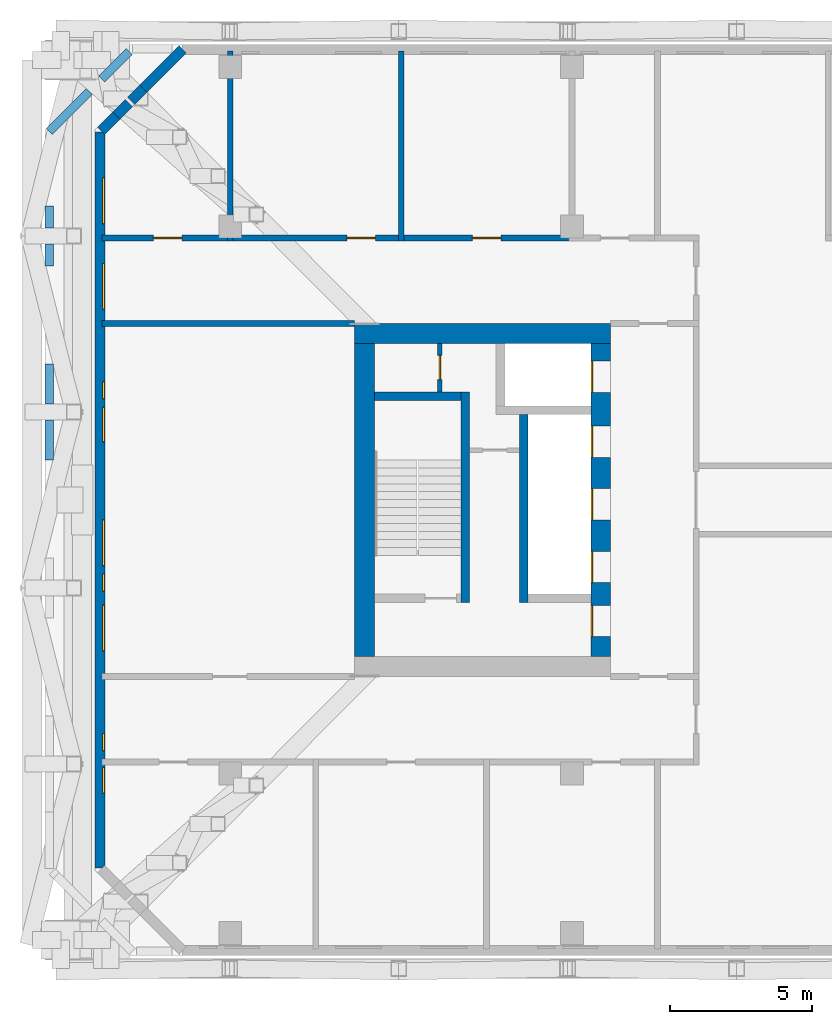
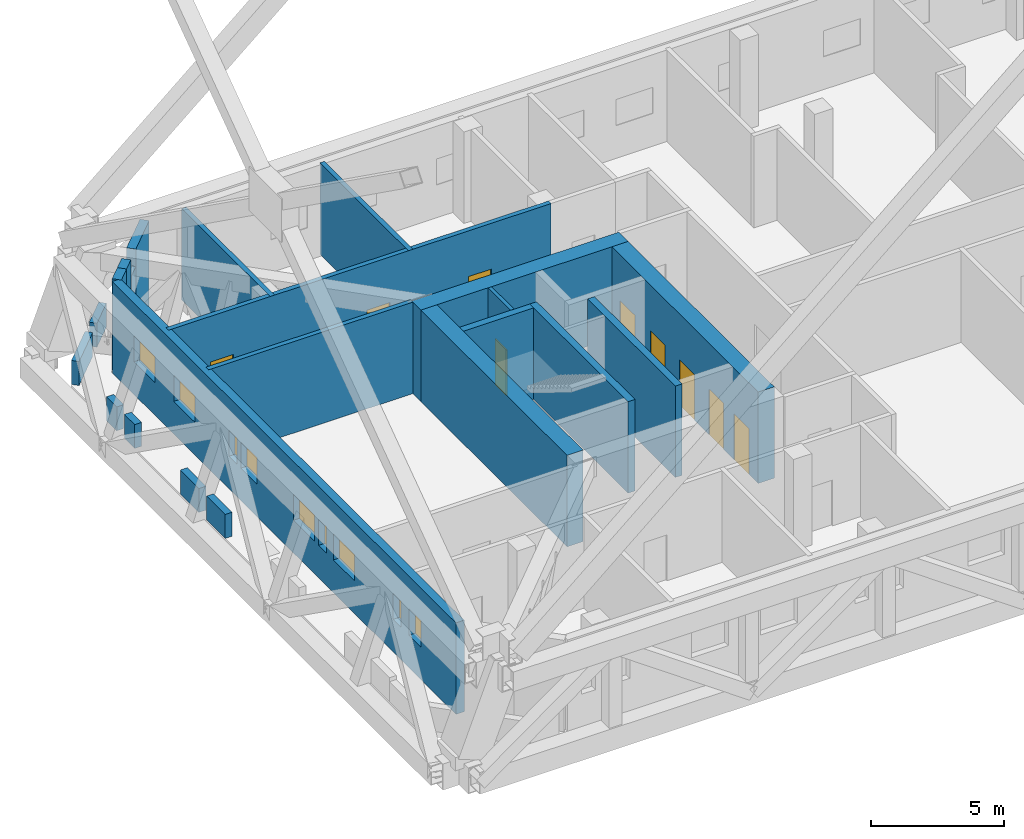
# One storey, part 8 of 20: 22 walls, 9 doors, 9 windows, 18 openings.
"""IFC4 building model written with IfcOpenShell, lengths in metres."""

import ifcopenshell
import ifcopenshell.guid

model = None  # the IFC model being written
_history = None  # IfcOwnerHistory: only IFC2X3 demands one
_inside = {}  # id of a spatial element -> (the spatial element, [elements in it])
_under = {}  # id of a project, library or spatial element -> (it, [spatial elements below it])
_declared = {}  # id of a project -> (the project, [libraries it declares])
_typed = {}  # id of a type object -> (the type object, [elements of that type])
_made_of = {}  # id of a material, layer set ... -> (it, [elements and type objects made of it])


def new_model(schema):
    """Start an empty IFC model of exactly this schema.

    Asked for "IFC4X3", IfcOpenShell would pick the latest addendum, in which some entities
    have other attributes; the version numbers below select the first issue.
    IFC2X3 requires an IfcOwnerHistory on every rooted entity: one is made here for all.
    """
    global model, _history
    if schema == "IFC4X3":
        model = ifcopenshell.file(schema_version=(4, 3, 0, 0))
    else:
        model = ifcopenshell.file(schema=schema)
    _inside.clear()
    _under.clear()
    _declared.clear()
    _typed.clear()
    _made_of.clear()
    _history = None
    if model.schema == "IFC2X3":
        org = make("IfcOrganization", Name="unknown")
        user = make(
            "IfcPersonAndOrganization",
            ThePerson=make("IfcPerson", FamilyName="unknown"),
            TheOrganization=org,
        )
        app = make(
            "IfcApplication",
            ApplicationDeveloper=org,
            Version="unknown",
            ApplicationFullName="unknown",
            ApplicationIdentifier="unknown",
        )
        _history = make(
            "IfcOwnerHistory",
            OwningUser=user,
            OwningApplication=app,
            ChangeAction="ADDED",
            CreationDate=0,
        )
    return model


def make(cls, **values):
    """One entity of the class cls with the attributes given. An attribute that is None is left unset."""
    return model.create_entity(
        cls, **{name: value for name, value in values.items() if value is not None}
    )


def rooted(cls, **values):
    """An entity with a GlobalId (a new one), such as an element, a storey or a relation."""
    return make(cls, GlobalId=ifcopenshell.guid.new(), OwnerHistory=_history, **values)


def si_unit(unit_type, name, prefix=None):
    """IfcSIUnit, for example si_unit("LENGTHUNIT", "METRE", prefix="MILLI")."""
    return make("IfcSIUnit", UnitType=unit_type, Prefix=prefix, Name=name)


def assignment(units):
    """IfcUnitAssignment: the units of a project."""
    return None if units is None else make("IfcUnitAssignment", Units=units)


def point(xyz):
    """IfcCartesianPoint."""
    return None if xyz is None else make("IfcCartesianPoint", Coordinates=xyz)


def direction(xyz):
    """IfcDirection."""
    return None if xyz is None else make("IfcDirection", DirectionRatios=xyz)


def frame(location, z_axis=None, x_axis=None):
    """IfcAxis2Placement3D, a coordinate frame: its origin and axes. An axis left out is left unset."""
    return make(
        "IfcAxis2Placement3D",
        Location=point(location),
        Axis=direction(z_axis),
        RefDirection=direction(x_axis),
    )


def frame_2d(location, x_axis=None):
    """IfcAxis2Placement2D, a coordinate frame in the plane: its origin and x axis."""
    return make(
        "IfcAxis2Placement2D", Location=point(location), RefDirection=direction(x_axis)
    )


def origin():
    """The frame at (0, 0, 0) with its axes left unset."""
    return frame((0.0, 0.0, 0.0))


def place(relative_to, where):
    """IfcLocalPlacement: puts the frame where relative to a parent placement (None: the world)."""
    return make(
        "IfcLocalPlacement", PlacementRelTo=relative_to, RelativePlacement=where
    )


def context(
    kind, dimensions, precision=None, world=None, true_north=None, identifier=None
):
    """IfcGeometricRepresentationContext, for example the 3D "Model" context."""
    return make(
        "IfcGeometricRepresentationContext",
        ContextIdentifier=identifier,
        ContextType=kind,
        CoordinateSpaceDimension=dimensions,
        Precision=precision,
        WorldCoordinateSystem=world,
        TrueNorth=true_north,
    )


def subcontext(parent, identifier, kind, view, scale=None):
    """IfcGeometricRepresentationSubContext, for example "Body" below "Model"."""
    return make(
        "IfcGeometricRepresentationSubContext",
        ContextIdentifier=identifier,
        ContextType=kind,
        ParentContext=parent,
        TargetScale=scale,
        TargetView=view,
    )


def project(units=None, contexts=None):
    """IfcProject with its units and contexts."""
    return rooted(
        "IfcProject",
        Name="project",
        RepresentationContexts=contexts,
        UnitsInContext=assignment(units),
    )


def spatial(cls, under=None, at=None, **own):
    """A site, building, storey or space (cls), placed at a placement, below another one or the project."""
    s = rooted(cls, ObjectPlacement=at, **own)
    if under is not None:
        _under.setdefault(under.id(), (under, []))[1].append(s)
    return s


def profile(cls, at=None, kind="AREA", **sizes):
    """A parametric profile (cls). Its sizes go by their IFC names, for example OverallWidth=200.0."""
    return make(cls, ProfileType=kind, Position=at, **sizes)


def rectangle(**sizes):
    """IfcRectangleProfileDef."""
    return profile("IfcRectangleProfileDef", **sizes)


def extrude(swept, where, along, depth):
    """IfcExtrudedAreaSolid: the profile swept, set in the frame where, extruded along a direction by depth."""
    return make(
        "IfcExtrudedAreaSolid",
        SweptArea=swept,
        Position=where,
        ExtrudedDirection=direction(along),
        Depth=depth,
    )


def shape(context_of_items, identifier, shape_type, items):
    """IfcShapeRepresentation: the items that make up one representation, for example the "Body"."""
    return make(
        "IfcShapeRepresentation",
        ContextOfItems=context_of_items,
        RepresentationIdentifier=identifier,
        RepresentationType=shape_type,
        Items=items,
    )


def material(Name=None, Category=None):
    """IfcMaterial."""
    return make("IfcMaterial", Name=Name, Category=Category)


def layer(
    of_material, thickness, ventilated=None, Name=None, Category=None, Priority=None
):
    """IfcMaterialLayer: one layer of a wall or slab, of a material (None: an air gap)."""
    return make(
        "IfcMaterialLayer",
        Material=of_material,
        LayerThickness=thickness,
        IsVentilated=ventilated,
        Name=Name,
        Category=Category,
        Priority=Priority,
    )


def layer_set(layers, Name=None):
    """IfcMaterialLayerSet."""
    return make("IfcMaterialLayerSet", MaterialLayers=layers, LayerSetName=Name)


def made_of(thing, what):
    """Note that an element or type object is made of a material, layer set ...; save() writes the relation."""
    if what is not None:
        _made_of.setdefault(what.id(), (what, []))[1].append(thing)
    return thing


def type_object(cls, material=None, **own):
    """A type object (cls), such as IfcWallType, which elements share."""
    return made_of(rooted(cls, **own), material)


def element(
    cls,
    number,
    at=None,
    inside=None,
    cuts=None,
    type_object=None,
    material=None,
    context=None,
    identifier="Body",
    shape_type=None,
    held_by="IfcProductDefinitionShape",
    body=None,
    shapes=None,
    **own,
):
    """One element of the class cls, such as IfcWall. Its Tag is "e" and its number.

    at: its placement. inside: the storey or other place that contains it. cuts: it is an
    opening in that element (IfcRelVoidsElement). A single representation is given by context,
    identifier, shape_type and body (its items); several are given by shapes. held_by: the class
    of the entity that holds the representations. save() writes the other relations.
    """
    e = rooted(cls, Tag="e%d" % number, ObjectPlacement=at, **own)
    if body is not None:
        shapes = [shape(context, identifier, shape_type, body)]
    if shapes is not None:
        e.Representation = make(held_by, Representations=shapes)
    if inside is not None:
        _inside.setdefault(inside.id(), (inside, []))[1].append(e)
    if cuts is not None:
        rooted(
            "IfcRelVoidsElement", RelatingBuildingElement=cuts, RelatedOpeningElement=e
        )
    if type_object is not None:
        _typed.setdefault(type_object.id(), (type_object, []))[1].append(e)
    return made_of(e, material)


def fill(opening, filler):
    """IfcRelFillsElement: the door or window that sits in an opening."""
    return rooted(
        "IfcRelFillsElement",
        RelatingOpeningElement=opening,
        RelatedBuildingElement=filler,
    )


def aggregate(whole, parts):
    """IfcRelAggregates: a whole, such as a stair, and the parts it consists of."""
    return rooted("IfcRelAggregates", RelatingObject=whole, RelatedObjects=parts)


def save(model, path):
    """Write the relations noted so far, then the file.

    IfcRelAggregates (storeys below a building ...), IfcRelContainedInSpatialStructure (elements
    in a storey), IfcRelDefinesByType, IfcRelAssociatesMaterial and IfcRelDeclares: one each for
    every whole, place, type object, material and project.
    """
    for whole, parts in _under.values():
        aggregate(whole, parts)
    for where, things in _inside.values():
        rooted(
            "IfcRelContainedInSpatialStructure",
            RelatedElements=things,
            RelatingStructure=where,
        )
    for kind, things in _typed.values():
        rooted("IfcRelDefinesByType", RelatedObjects=things, RelatingType=kind)
    for what, things in _made_of.values():
        rooted("IfcRelAssociatesMaterial", RelatedObjects=things, RelatingMaterial=what)
    for by, libraries in _declared.values():
        rooted("IfcRelDeclares", RelatingContext=by, RelatedDefinitions=libraries)
    model.write(path)


model = new_model("IFC4")

# Units and contexts
model_context = context("Model", 3, precision=1e-05, world=origin(), true_north=direction((0.0, 1.0)))
body_context = subcontext(model_context, "Body", "Model", "MODEL_VIEW")
ifc_project = project(units=[si_unit("LENGTHUNIT", "METRE"), si_unit("AREAUNIT", "SQUARE_METRE"), si_unit("VOLUMEUNIT", "CUBIC_METRE"), si_unit("PLANEANGLEUNIT", "RADIAN"), si_unit("MASSUNIT", "GRAM", prefix="KILO")], contexts=[model_context])

# Site, building, storey
site_placement = place(None, origin())
site = spatial("IfcSite", under=ifc_project, at=site_placement, CompositionType="ELEMENT")
building_placement = place(site_placement, origin())
building = spatial("IfcBuilding", under=site, at=building_placement, Name="Tuart Gate Housing", CompositionType="ELEMENT")
storey_placement = place(building_placement, frame((0.0, 0.0, 62.89990234375)))
storey = spatial("IfcBuildingStorey", under=building, at=storey_placement, Name="L17", CompositionType="ELEMENT", Elevation=62.89990234375)

# Walls
ifc_material_1 = material(Name="Brick", Category="masonry")
ifc_layer_1 = layer(ifc_material_1, 0.300048828125)
ifc_layer_set_1 = layer_set([ifc_layer_1], Name="Brick parapet wall 300")
wall_type_1 = type_object("IfcWallType", Name="Brick parapet wall 300", PredefinedType="PARAPET", material=ifc_layer_set_1)
wall_1_placement = place(storey_placement, frame((24.45458984375, 85.742431640625, 0.0), z_axis=(0.0, 0.0, 1.0), x_axis=(-0.707106781187, -0.707106781187, 0.0)))
element("IfcWall", 1, at=wall_1_placement, inside=storey, type_object=wall_type_1, Name="Roof parapet A 2", PredefinedType="PARAPET", context=body_context, shape_type="SweptSolid", body=[
    extrude(rectangle(XDim=1.365478515625, YDim=0.300048828125, at=frame_2d((0.6826171875, 0.0))), origin(), (0.0, 0.0, 1.0), 1.10009765625),
])
wall_2_placement = place(storey_placement, frame((23.049560546875, 84.33740234375, 0.0), z_axis=(0.0, 0.0, 1.0), x_axis=(-0.70716845375, -0.707045103244, 0.0)))
element("IfcWall", 2, at=wall_2_placement, inside=storey, type_object=wall_type_1, Name="Roof parapet A 2", PredefinedType="PARAPET", context=body_context, shape_type="SweptSolid", body=[
    extrude(rectangle(XDim=1.979248046875, YDim=0.300048828125, at=frame_2d((0.98974609375, 0.0))), origin(), (0.0, 0.0, 1.0), 1.10009765625),
])
for number, where, z_axis, x_axis, name in (
    (3, (21.64990234375, 80.328369140625, 0.0), (0.0, 0.0, 1.0), (0.0, -1.0, 0.0), "Roof parapet A 3"),
    (4, (21.64990234375, 78.987060546875, 0.0), (0.0, 0.0, 1.0), (0.0, -1.0, 0.0), "Roof parapet A 3"),
):
    element("IfcWall", number, at=place(storey_placement, frame(where, z_axis=z_axis, x_axis=x_axis)), inside=storey, type_object=wall_type_1, Name=name, PredefinedType="PARAPET", context=body_context, shape_type="SweptSolid", body=[
        extrude(rectangle(XDim=0.775390625, YDim=0.300048828125, at=frame_2d((0.3876953125, 0.0))), origin(), (0.0, 0.0, 1.0), 1.10009765625),
    ])
for number, where, z_axis, x_axis, name in (
    (5, (21.64990234375, 74.776123046875, 0.0), (0.0, 0.0, 1.0), (0.0, -1.0, 0.0), "Roof parapet A 3"),
    (6, (21.64990234375, 72.806884765625, 0.0), (0.0, 0.0, 1.0), (0.0, -1.0, 0.0), "Roof parapet A 3"),
):
    element("IfcWall", number, at=place(storey_placement, frame(where, z_axis=z_axis, x_axis=x_axis)), inside=storey, type_object=wall_type_1, Name=name, PredefinedType="PARAPET", context=body_context, shape_type="SweptSolid", body=[
        extrude(rectangle(XDim=1.403076171875, YDim=0.300048828125, at=frame_2d((0.70166015625, 0.0))), origin(), (0.0, 0.0, 1.0), 1.10009765625),
    ])
ifc_material_2 = material(Name="Brick", Category="masonry")
ifc_layer_2 = layer(ifc_material_2, 0.360107421875)
ifc_layer_set_2 = layer_set([ifc_layer_2], Name="Brick pier and spandrel wall 360")
wall_type_2 = type_object("IfcWallType", Name="Brick pier and spandrel wall 360", PredefinedType="STANDARD", material=ifc_layer_set_2)
wall_3_placement = place(storey_placement, frame((26.32470703125, 85.820068359375, 0.0), z_axis=(0.0, 0.0, 1.0), x_axis=(-0.707169637916, -0.707043918869, 0.0)))
element("IfcWall", 7, at=wall_3_placement, inside=storey, type_object=wall_type_2, Name="External wall A-NW L17", PredefinedType="STANDARD", context=body_context, shape_type="SweptSolid", body=[
    extrude(rectangle(XDim=1.94189453125, YDim=0.360107421875, at=frame_2d((0.970947265625, 0.0))), origin(), (0.0, 0.0, 1.0), 4.2001953125),
])
wall_4_placement = place(storey_placement, frame((24.951416015625, 84.447021484375, 0.0), z_axis=(0.0, 0.0, 1.0), x_axis=(-0.70690569865, -0.707307806556, 0.0)))
element("IfcWall", 8, at=wall_4_placement, inside=storey, type_object=wall_type_2, Name="External wall A-NW L17", PredefinedType="STANDARD", context=body_context, shape_type="SweptSolid", body=[
    extrude(rectangle(XDim=0.607177734375, YDim=0.360107421875, at=frame_2d((0.3037109375, 0.0))), origin(), (0.0, 0.0, 1.0), 3.397216796875),
])
wall_5_placement = place(storey_placement, frame((24.439208984375, 83.934814453125, 0.953125), z_axis=(0.0, 0.0, 1.0), x_axis=(-0.706911258792, -0.707302249532, 0.0)))
element("IfcWall", 9, at=wall_5_placement, inside=storey, type_object=wall_type_2, Name="External wall A-NW L17", PredefinedType="STANDARD", context=body_context, shape_type="SweptSolid", body=[
    extrude(rectangle(XDim=0.62451171875, YDim=0.360107421875, at=frame_2d((0.312255859375, 0.0))), origin(), (0.0, 0.0, 1.0), 3.2470703125),
])
wall_6_placement = place(storey_placement, frame((23.997802734375, 83.4931640625, 0.0), z_axis=(0.0, 0.0, 1.0), x_axis=(-0.707106781187, -0.707106781187, 0.0)))
element("IfcWall", 10, at=wall_6_placement, inside=storey, type_object=wall_type_2, Name="External wall A-NW L17", PredefinedType="STANDARD", context=body_context, shape_type="SweptSolid", body=[
    extrude(rectangle(XDim=0.7529296875, YDim=0.360107421875, at=frame_2d((0.37646484375, 0.0))), origin(), (0.0, 0.0, 1.0), 4.2001953125),
])

# Wall, openings, windows
wall_7_placement = place(storey_placement, frame((23.429931640625, 82.92529296875, 0.0), z_axis=(0.0, 0.0, 1.0), x_axis=(0.0, -1.0, 0.0)))
wall_7 = element("IfcWall", 11, at=wall_7_placement, inside=storey, type_object=wall_type_2, Name="External wall A-W L17", PredefinedType="STANDARD", context=body_context, shape_type="SweptSolid", body=[
    extrude(rectangle(XDim=25.850830078125, YDim=0.360107421875, at=frame_2d((12.92529296875, 0.0))), origin(), (0.0, 0.0, 1.0), 4.2001953125),
])
opening_1_placement = place(wall_7_placement, frame((1.62548828125, 0.0, 1.5)))
opening_1 = element("IfcOpeningElement", 12, at=opening_1_placement, cuts=wall_7, Name="Opening W3", PredefinedType="OPENING", context=body_context, shape_type="SweptSolid", body=[
    extrude(rectangle(XDim=1.60009765625, YDim=1.199951171875, at=frame_2d((0.800048828125, 0.60009765625))), frame((0.0, 0.18994140625, 0.0), z_axis=(0.0, -1.0, 0.0), x_axis=(1.0, 0.0, 0.0)), (0.0, 0.0, 1.0), 0.380126953125),
])
opening_2_placement = place(wall_7_placement, frame((4.62548828125, 0.0, 1.5)))
opening_2 = element("IfcOpeningElement", 13, at=opening_2_placement, cuts=wall_7, Name="Opening W3", PredefinedType="OPENING", context=body_context, shape_type="SweptSolid", body=[
    extrude(rectangle(XDim=1.60009765625, YDim=1.199951171875, at=frame_2d((0.800048828125, 0.60009765625))), frame((0.0, 0.18994140625, 0.0), z_axis=(0.0, -1.0, 0.0), x_axis=(1.0, 0.0, 0.0)), (0.0, 0.0, 1.0), 0.380126953125),
])
opening_3_placement = place(wall_7_placement, frame((8.775390625, 0.0, 1.5)))
opening_3 = element("IfcOpeningElement", 14, at=opening_3_placement, cuts=wall_7, Name="Opening W3C", PredefinedType="OPENING", context=body_context, shape_type="SweptSolid", body=[
    extrude(rectangle(XDim=0.60009765625, YDim=1.199951171875, at=frame_2d((0.300048828125, 0.60009765625))), frame((0.0, 0.18994140625, 0.0), z_axis=(0.0, -1.0, 0.0), x_axis=(1.0, 0.0, 0.0)), (0.0, 0.0, 1.0), 0.380126953125),
])
opening_4_placement = place(wall_7_placement, frame((9.67529296875, 0.0, 1.5)))
opening_4 = element("IfcOpeningElement", 15, at=opening_4_placement, cuts=wall_7, Name="Opening W3A", PredefinedType="OPENING", context=body_context, shape_type="SweptSolid", body=[
    extrude(rectangle(XDim=1.199951171875, YDim=1.199951171875, at=frame_2d((0.60009765625, 0.60009765625))), frame((0.0, 0.18994140625, 0.0), z_axis=(0.0, -1.0, 0.0), x_axis=(1.0, 0.0, 0.0)), (0.0, 0.0, 1.0), 0.380126953125),
])
opening_5_placement = place(wall_7_placement, frame((13.62548828125, 0.0, 1.5)))
opening_5 = element("IfcOpeningElement", 16, at=opening_5_placement, cuts=wall_7, Name="Opening W3", PredefinedType="OPENING", context=body_context, shape_type="SweptSolid", body=[
    extrude(rectangle(XDim=1.60009765625, YDim=1.199951171875, at=frame_2d((0.800048828125, 0.60009765625))), frame((0.0, 0.18994140625, 0.0), z_axis=(0.0, -1.0, 0.0), x_axis=(1.0, 0.0, 0.0)), (0.0, 0.0, 1.0), 0.380126953125),
])
opening_6_placement = place(wall_7_placement, frame((16.62548828125, 0.0, 1.5)))
opening_6 = element("IfcOpeningElement", 17, at=opening_6_placement, cuts=wall_7, Name="Opening W3", PredefinedType="OPENING", context=body_context, shape_type="SweptSolid", body=[
    extrude(rectangle(XDim=1.60009765625, YDim=1.199951171875, at=frame_2d((0.800048828125, 0.60009765625))), frame((0.0, 0.18994140625, 0.0), z_axis=(0.0, -1.0, 0.0), x_axis=(1.0, 0.0, 0.0)), (0.0, 0.0, 1.0), 0.380126953125),
])
opening_7_placement = place(wall_7_placement, frame((21.12548828125, 0.0, 1.5)))
opening_7 = element("IfcOpeningElement", 18, at=opening_7_placement, cuts=wall_7, Name="Opening W3C", PredefinedType="OPENING", context=body_context, shape_type="SweptSolid", body=[
    extrude(rectangle(XDim=0.60009765625, YDim=1.199951171875, at=frame_2d((0.300048828125, 0.60009765625))), frame((0.0, 0.18994140625, 0.0), z_axis=(0.0, -1.0, 0.0), x_axis=(1.0, 0.0, 0.0)), (0.0, 0.0, 1.0), 0.380126953125),
])
opening_8_placement = place(wall_7_placement, frame((22.325439453125, 0.0, 1.5)))
opening_8 = element("IfcOpeningElement", 19, at=opening_8_placement, cuts=wall_7, Name="Opening W3B", PredefinedType="OPENING", context=body_context, shape_type="SweptSolid", body=[
    extrude(rectangle(XDim=0.89990234375, YDim=1.199951171875, at=frame_2d((0.449951171875, 0.60009765625))), frame((0.0, 0.18994140625, 0.0), z_axis=(0.0, -1.0, 0.0), x_axis=(1.0, 0.0, 0.0)), (0.0, 0.0, 1.0), 0.380126953125),
])
opening_9_placement = place(wall_7_placement, frame((15.525390625, 0.0, 1.5)))
opening_9 = element("IfcOpeningElement", 20, at=opening_9_placement, cuts=wall_7, Name="Opening W3C", PredefinedType="OPENING", context=body_context, shape_type="SweptSolid", body=[
    extrude(rectangle(XDim=0.60009765625, YDim=1.199951171875, at=frame_2d((0.300048828125, 0.60009765625))), frame((0.0, 0.18994140625, 0.0), z_axis=(0.0, -1.0, 0.0), x_axis=(1.0, 0.0, 0.0)), (0.0, 0.0, 1.0), 0.380126953125),
])
ifc_material_3 = material(Name="Aluminium louvre blades", Category="aluminium")
window_type_1 = type_object("IfcWindowType", Name="Louvre window 1200 x 1200", PartitioningType="DOUBLE_PANEL_HORIZONTAL", PredefinedType="WINDOW", material=ifc_material_3)
window_1_placement = place(opening_4_placement, origin())
window_1 = element("IfcWindow", 21, at=window_1_placement, inside=storey, type_object=window_type_1, Name="Louvre W3A", OverallHeight=1.199951171875, OverallWidth=1.199951171875, PartitioningType="DOUBLE_PANEL_HORIZONTAL", PredefinedType="WINDOW", context=body_context, shape_type="SweptSolid", body=[
    extrude(rectangle(XDim=1.199951171875, YDim=1.199951171875, at=frame_2d((0.60009765625, 0.60009765625))), frame((0.0, 0.150146484375, 0.0), z_axis=(0.0, -1.0, 0.0), x_axis=(1.0, 0.0, 0.0)), (0.0, 0.0, 1.0), 0.06005859375),
])
fill(opening_4, window_1)
ifc_material_4 = material(Name="Aluminium louvre blades", Category="aluminium")
window_type_2 = type_object("IfcWindowType", Name="Louvre window 1600 x 1200", PartitioningType="DOUBLE_PANEL_HORIZONTAL", PredefinedType="WINDOW", material=ifc_material_4)
window_2_placement = place(opening_1_placement, origin())
window_2 = element("IfcWindow", 22, at=window_2_placement, inside=storey, type_object=window_type_2, Name="Louvre W3", OverallHeight=1.199951171875, OverallWidth=1.60009765625, PartitioningType="DOUBLE_PANEL_HORIZONTAL", PredefinedType="WINDOW", context=body_context, shape_type="SweptSolid", body=[
    extrude(rectangle(XDim=1.60009765625, YDim=1.199951171875, at=frame_2d((0.800048828125, 0.60009765625))), frame((0.0, 0.150146484375, 0.0), z_axis=(0.0, -1.0, 0.0), x_axis=(1.0, 0.0, 0.0)), (0.0, 0.0, 1.0), 0.06005859375),
])
fill(opening_1, window_2)
window_3_placement = place(opening_2_placement, origin())
window_3 = element("IfcWindow", 23, at=window_3_placement, inside=storey, type_object=window_type_2, Name="Louvre W3", OverallHeight=1.199951171875, OverallWidth=1.60009765625, PartitioningType="DOUBLE_PANEL_HORIZONTAL", PredefinedType="WINDOW", context=body_context, shape_type="SweptSolid", body=[
    extrude(rectangle(XDim=1.60009765625, YDim=1.199951171875, at=frame_2d((0.800048828125, 0.60009765625))), frame((0.0, 0.150146484375, 0.0), z_axis=(0.0, -1.0, 0.0), x_axis=(1.0, 0.0, 0.0)), (0.0, 0.0, 1.0), 0.06005859375),
])
fill(opening_2, window_3)
window_4_placement = place(opening_5_placement, origin())
window_4 = element("IfcWindow", 24, at=window_4_placement, inside=storey, type_object=window_type_2, Name="Louvre W3", OverallHeight=1.199951171875, OverallWidth=1.60009765625, PartitioningType="DOUBLE_PANEL_HORIZONTAL", PredefinedType="WINDOW", context=body_context, shape_type="SweptSolid", body=[
    extrude(rectangle(XDim=1.60009765625, YDim=1.199951171875, at=frame_2d((0.800048828125, 0.60009765625))), frame((0.0, 0.150146484375, 0.0), z_axis=(0.0, -1.0, 0.0), x_axis=(1.0, 0.0, 0.0)), (0.0, 0.0, 1.0), 0.06005859375),
])
fill(opening_5, window_4)
window_5_placement = place(opening_6_placement, origin())
window_5 = element("IfcWindow", 25, at=window_5_placement, inside=storey, type_object=window_type_2, Name="Louvre W3", OverallHeight=1.199951171875, OverallWidth=1.60009765625, PartitioningType="DOUBLE_PANEL_HORIZONTAL", PredefinedType="WINDOW", context=body_context, shape_type="SweptSolid", body=[
    extrude(rectangle(XDim=1.60009765625, YDim=1.199951171875, at=frame_2d((0.800048828125, 0.60009765625))), frame((0.0, 0.150146484375, 0.0), z_axis=(0.0, -1.0, 0.0), x_axis=(1.0, 0.0, 0.0)), (0.0, 0.0, 1.0), 0.06005859375),
])
fill(opening_6, window_5)
ifc_material_5 = material(Name="Aluminium louvre blades", Category="aluminium")
window_type_3 = type_object("IfcWindowType", Name="Louvre window 600 x 1200", PartitioningType="DOUBLE_PANEL_HORIZONTAL", PredefinedType="WINDOW", material=ifc_material_5)
window_6_placement = place(opening_3_placement, origin())
window_6 = element("IfcWindow", 26, at=window_6_placement, inside=storey, type_object=window_type_3, Name="Louvre W3C", OverallHeight=1.199951171875, OverallWidth=0.60009765625, PartitioningType="DOUBLE_PANEL_HORIZONTAL", PredefinedType="WINDOW", context=body_context, shape_type="SweptSolid", body=[
    extrude(rectangle(XDim=0.60009765625, YDim=1.199951171875, at=frame_2d((0.300048828125, 0.60009765625))), frame((0.0, 0.150146484375, 0.0), z_axis=(0.0, -1.0, 0.0), x_axis=(1.0, 0.0, 0.0)), (0.0, 0.0, 1.0), 0.06005859375),
])
fill(opening_3, window_6)
window_7_placement = place(opening_7_placement, origin())
window_7 = element("IfcWindow", 27, at=window_7_placement, inside=storey, type_object=window_type_3, Name="Louvre W3C", OverallHeight=1.199951171875, OverallWidth=0.60009765625, PartitioningType="DOUBLE_PANEL_HORIZONTAL", PredefinedType="WINDOW", context=body_context, shape_type="SweptSolid", body=[
    extrude(rectangle(XDim=0.60009765625, YDim=1.199951171875, at=frame_2d((0.300048828125, 0.60009765625))), frame((0.0, 0.150146484375, 0.0), z_axis=(0.0, -1.0, 0.0), x_axis=(1.0, 0.0, 0.0)), (0.0, 0.0, 1.0), 0.06005859375),
])
fill(opening_7, window_7)
window_8_placement = place(opening_9_placement, origin())
window_8 = element("IfcWindow", 28, at=window_8_placement, inside=storey, type_object=window_type_3, Name="Louvre W3C", OverallHeight=1.199951171875, OverallWidth=0.60009765625, PartitioningType="DOUBLE_PANEL_HORIZONTAL", PredefinedType="WINDOW", context=body_context, shape_type="SweptSolid", body=[
    extrude(rectangle(XDim=0.60009765625, YDim=1.199951171875, at=frame_2d((0.300048828125, 0.60009765625))), frame((0.0, 0.150146484375, 0.0), z_axis=(0.0, -1.0, 0.0), x_axis=(1.0, 0.0, 0.0)), (0.0, 0.0, 1.0), 0.06005859375),
])
fill(opening_9, window_8)
ifc_material_6 = material(Name="Aluminium louvre blades", Category="aluminium")
window_type_4 = type_object("IfcWindowType", Name="Louvre window 900 x 1200", PartitioningType="DOUBLE_PANEL_HORIZONTAL", PredefinedType="WINDOW", material=ifc_material_6)
window_9_placement = place(opening_8_placement, origin())
window_9 = element("IfcWindow", 29, at=window_9_placement, inside=storey, type_object=window_type_4, Name="Louvre W3B", OverallHeight=1.199951171875, OverallWidth=0.89990234375, PartitioningType="DOUBLE_PANEL_HORIZONTAL", PredefinedType="WINDOW", context=body_context, shape_type="SweptSolid", body=[
    extrude(rectangle(XDim=0.89990234375, YDim=1.199951171875, at=frame_2d((0.449951171875, 0.60009765625))), frame((0.0, 0.150146484375, 0.0), z_axis=(0.0, -1.0, 0.0), x_axis=(1.0, 0.0, 0.0)), (0.0, 0.0, 1.0), 0.06005859375),
])
fill(opening_8, window_9)

# Wall, opening, door
ifc_material_7 = material(Name="Plasterboard partition")
ifc_layer_3 = layer(ifc_material_7, 0.14990234375)
ifc_layer_set_3 = layer_set([ifc_layer_3], Name="Core partition 150")
wall_type_3 = type_object("IfcWallType", Name="Core partition 150", PredefinedType="PARTITIONING", material=ifc_layer_set_3)
wall_8_placement = place(storey_placement, frame((35.360107421875, 75.5, 0.0), z_axis=(0.0, 0.0, 1.0), x_axis=(0.0, -1.0, 0.0)))
wall_8 = element("IfcWall", 30, at=wall_8_placement, inside=storey, type_object=wall_type_3, Name="Core partition AK.9", PredefinedType="PARTITIONING", context=body_context, shape_type="SweptSolid", body=[
    extrude(rectangle(XDim=1.699951171875, YDim=0.14990234375, at=frame_2d((0.85009765625, 0.0))), origin(), (0.0, 0.0, 1.0), 4.2001953125),
])
opening_10_placement = place(wall_8_placement, frame((0.425048828125, 0.0, 0.0)))
opening_10 = element("IfcOpeningElement", 31, at=opening_10_placement, cuts=wall_8, Name="Opening D3321", PredefinedType="OPENING", context=body_context, shape_type="SweptSolid", body=[
    extrude(rectangle(XDim=0.85009765625, YDim=2.10009765625, at=frame_2d((0.425048828125, 1.050048828125))), frame((0.0, 0.0849609375, 0.0), z_axis=(0.0, -1.0, 0.0), x_axis=(1.0, 0.0, 0.0)), (0.0, 0.0, 1.0), 0.169921875),
])
ifc_material_8 = material(Name="Steel fire door", Category="steel")
door_type_1 = type_object("IfcDoorType", Name="Service door 850 x 2100 RH", OperationType="SINGLE_SWING_RIGHT", PredefinedType="DOOR", material=ifc_material_8)
door_1_placement = place(opening_10_placement, frame((0.85009765625, 0.0, 0.0), z_axis=(0.0, 0.0, 1.0), x_axis=(-1.0, 0.0, 0.0)))
door_1 = element("IfcDoor", 32, at=door_1_placement, inside=storey, type_object=door_type_1, Name="Service room door AK.E2", OperationType="SINGLE_SWING_RIGHT", OverallHeight=2.10009765625, OverallWidth=0.85009765625, PredefinedType="DOOR", context=body_context, shape_type="SweptSolid", body=[
    extrude(rectangle(XDim=0.85009765625, YDim=2.10009765625, at=frame_2d((0.425048828125, 1.050048828125))), frame((0.0, 0.025146484375, 0.0), z_axis=(0.0, -1.0, 0.0), x_axis=(1.0, 0.0, 0.0)), (0.0, 0.0, 1.0), 0.050048828125),
])
fill(opening_10, door_1)

# Walls
ifc_material_9 = material(Name="Concrete C50", Category="concrete")
ifc_layer_4 = layer(ifc_material_9, 0.300048828125)
ifc_layer_set_4 = layer_set([ifc_layer_4], Name="Core wall 300 C50")
wall_type_4 = type_object("IfcWallType", Name="Core wall 300 C50", PredefinedType="SHEAR", material=ifc_layer_set_4)
wall_9_placement = place(storey_placement, frame((36.110107421875, 73.64990234375, 0.0), z_axis=(0.0, 0.0, 1.0), x_axis=(-1.0, 0.0, 0.0)))
element("IfcWall", 33, at=wall_9_placement, inside=storey, type_object=wall_type_4, Name="Core wall AK.1", PredefinedType="SHEAR", context=body_context, shape_type="SweptSolid", body=[
    extrude(rectangle(XDim=3.050048828125, YDim=0.300048828125, at=frame_2d((1.52490234375, 0.0))), origin(), (0.0, 0.0, 1.0), 4.2001953125),
])
wall_10_placement = place(storey_placement, frame((38.31005859375, 73.0, 0.0), z_axis=(0.0, 0.0, 1.0), x_axis=(0.0, -1.0, 0.0)))
element("IfcWall", 34, at=wall_10_placement, inside=storey, type_object=wall_type_4, Name="Core wall AK.6", PredefinedType="SHEAR", context=body_context, shape_type="SweptSolid", body=[
    extrude(rectangle(XDim=6.60009765625, YDim=0.300048828125, at=frame_2d((3.300048828125, 0.0))), origin(), (0.0, 0.0, 1.0), 4.2001953125),
])
wall_11_placement = place(storey_placement, frame((36.260009765625, 73.800048828125, 0.0), z_axis=(0.0, 0.0, 1.0), x_axis=(0.0, -1.0, 0.0)))
element("IfcWall", 35, at=wall_11_placement, inside=storey, type_object=wall_type_4, Name="Core wall AK.8", PredefinedType="SHEAR", context=body_context, shape_type="SweptSolid", body=[
    extrude(rectangle(XDim=7.400146484375, YDim=0.300048828125, at=frame_2d((3.7001953125, 0.0))), origin(), (0.0, 0.0, 1.0), 4.2001953125),
])

# Wall, openings, doors
ifc_material_10 = material(Name="Concrete C50", Category="concrete")
ifc_layer_5 = layer(ifc_material_10, 0.699951171875)
ifc_layer_set_5 = layer_set([ifc_layer_5], Name="Core wall 700 C50")
wall_type_5 = type_object("IfcWallType", Name="Core wall 700 C50", PredefinedType="SHEAR", material=ifc_layer_set_5)
wall_12_placement = place(storey_placement, frame((41.010009765625, 75.5, 0.0), z_axis=(0.0, 0.0, 1.0), x_axis=(0.0, -1.0, 0.0)))
wall_12 = element("IfcWall", 36, at=wall_12_placement, inside=storey, type_object=wall_type_5, Name="Core wall AK front", PredefinedType="SHEAR", context=body_context, shape_type="SweptSolid", body=[
    extrude(rectangle(XDim=11.0, YDim=0.699951171875, at=frame_2d((5.5, 0.0))), origin(), (0.0, 0.0, 1.0), 4.2001953125),
])
opening_11_placement = place(wall_12_placement, frame((0.625, 0.0, 0.0)))
opening_11 = element("IfcOpeningElement", 37, at=opening_11_placement, cuts=wall_12, Name="Opening LD-FA2", PredefinedType="OPENING", context=body_context, shape_type="SweptSolid", body=[
    extrude(rectangle(XDim=1.10009765625, YDim=2.10009765625, at=frame_2d((0.550048828125, 1.050048828125))), frame((0.0, 0.35986328125, 0.0), z_axis=(0.0, -1.0, 0.0), x_axis=(1.0, 0.0, 0.0)), (0.0, 0.0, 1.0), 0.719970703125),
])
opening_12_placement = place(wall_12_placement, frame((2.89990234375, 0.0, 0.0)))
opening_12 = element("IfcOpeningElement", 38, at=opening_12_placement, cuts=wall_12, Name="Opening LD-LA4", PredefinedType="OPENING", context=body_context, shape_type="SweptSolid", body=[
    extrude(rectangle(XDim=1.10009765625, YDim=2.10009765625, at=frame_2d((0.550048828125, 1.050048828125))), frame((0.0, 0.35986328125, 0.0), z_axis=(0.0, -1.0, 0.0), x_axis=(1.0, 0.0, 0.0)), (0.0, 0.0, 1.0), 0.719970703125),
])
opening_13_placement = place(wall_12_placement, frame((5.10009765625, 0.0, 0.0)))
opening_13 = element("IfcOpeningElement", 39, at=opening_13_placement, cuts=wall_12, Name="Opening LD-LA5", PredefinedType="OPENING", context=body_context, shape_type="SweptSolid", body=[
    extrude(rectangle(XDim=1.10009765625, YDim=2.10009765625, at=frame_2d((0.550048828125, 1.050048828125))), frame((0.0, 0.35986328125, 0.0), z_axis=(0.0, -1.0, 0.0), x_axis=(1.0, 0.0, 0.0)), (0.0, 0.0, 1.0), 0.719970703125),
])
opening_14_placement = place(wall_12_placement, frame((7.300048828125, 0.0, 0.0)))
opening_14 = element("IfcOpeningElement", 40, at=opening_14_placement, cuts=wall_12, Name="Opening LD-LA6", PredefinedType="OPENING", context=body_context, shape_type="SweptSolid", body=[
    extrude(rectangle(XDim=1.10009765625, YDim=2.10009765625, at=frame_2d((0.550048828125, 1.050048828125))), frame((0.0, 0.35986328125, 0.0), z_axis=(0.0, -1.0, 0.0), x_axis=(1.0, 0.0, 0.0)), (0.0, 0.0, 1.0), 0.719970703125),
])
opening_15_placement = place(wall_12_placement, frame((9.199951171875, 0.0, 0.0)))
opening_15 = element("IfcOpeningElement", 41, at=opening_15_placement, cuts=wall_12, Name="Opening D3326", PredefinedType="OPENING", context=body_context, shape_type="SweptSolid", body=[
    extrude(rectangle(XDim=1.10009765625, YDim=2.10009765625, at=frame_2d((0.550048828125, 1.050048828125))), frame((0.0, 0.35986328125, 0.0), z_axis=(0.0, -1.0, 0.0), x_axis=(1.0, 0.0, 0.0)), (0.0, 0.0, 1.0), 0.719970703125),
])
ifc_material_11 = material(Name="Stainless steel", Category="steel")
door_type_2 = type_object("IfcDoorType", Name="Landing door 1100 x 2100", OperationType="DOUBLE_DOOR_SLIDING", PredefinedType="DOOR", material=ifc_material_11)
door_2_placement = place(opening_11_placement, origin())
door_2 = element("IfcDoor", 42, at=door_2_placement, inside=storey, type_object=door_type_2, Name="Lift landing door FA2", OperationType="DOUBLE_DOOR_SLIDING", OverallHeight=2.10009765625, OverallWidth=1.10009765625, PredefinedType="DOOR", context=body_context, shape_type="SweptSolid", body=[
    extrude(rectangle(XDim=1.10009765625, YDim=2.10009765625, at=frame_2d((0.550048828125, 1.050048828125))), frame((0.0, -0.28515625, 0.0), z_axis=(0.0, -1.0, 0.0), x_axis=(1.0, 0.0, 0.0)), (0.0, 0.0, 1.0), 0.050048828125),
])
fill(opening_11, door_2)
door_3_placement = place(opening_12_placement, origin())
door_3 = element("IfcDoor", 43, at=door_3_placement, inside=storey, type_object=door_type_2, Name="Lift landing door LA4", OperationType="DOUBLE_DOOR_SLIDING", OverallHeight=2.10009765625, OverallWidth=1.10009765625, PredefinedType="DOOR", context=body_context, shape_type="SweptSolid", body=[
    extrude(rectangle(XDim=1.10009765625, YDim=2.10009765625, at=frame_2d((0.550048828125, 1.050048828125))), frame((0.0, -0.28515625, 0.0), z_axis=(0.0, -1.0, 0.0), x_axis=(1.0, 0.0, 0.0)), (0.0, 0.0, 1.0), 0.050048828125),
])
fill(opening_12, door_3)
door_4_placement = place(opening_13_placement, origin())
door_4 = element("IfcDoor", 44, at=door_4_placement, inside=storey, type_object=door_type_2, Name="Lift landing door LA5", OperationType="DOUBLE_DOOR_SLIDING", OverallHeight=2.10009765625, OverallWidth=1.10009765625, PredefinedType="DOOR", context=body_context, shape_type="SweptSolid", body=[
    extrude(rectangle(XDim=1.10009765625, YDim=2.10009765625, at=frame_2d((0.550048828125, 1.050048828125))), frame((0.0, -0.28515625, 0.0), z_axis=(0.0, -1.0, 0.0), x_axis=(1.0, 0.0, 0.0)), (0.0, 0.0, 1.0), 0.050048828125),
])
fill(opening_13, door_4)
door_5_placement = place(opening_14_placement, origin())
door_5 = element("IfcDoor", 45, at=door_5_placement, inside=storey, type_object=door_type_2, Name="Lift landing door LA6", OperationType="DOUBLE_DOOR_SLIDING", OverallHeight=2.10009765625, OverallWidth=1.10009765625, PredefinedType="DOOR", context=body_context, shape_type="SweptSolid", body=[
    extrude(rectangle(XDim=1.10009765625, YDim=2.10009765625, at=frame_2d((0.550048828125, 1.050048828125))), frame((0.0, -0.28515625, 0.0), z_axis=(0.0, -1.0, 0.0), x_axis=(1.0, 0.0, 0.0)), (0.0, 0.0, 1.0), 0.050048828125),
])
fill(opening_14, door_5)
ifc_material_12 = material(Name="Steel fire door", Category="steel")
door_type_3 = type_object("IfcDoorType", Name="Lobby door 1100 x 2100 RH", OperationType="SINGLE_SWING_RIGHT", PredefinedType="DOOR", material=ifc_material_12)
door_6_placement = place(opening_15_placement, frame((1.10009765625, 0.0, 0.0), z_axis=(0.0, 0.0, 1.0), x_axis=(-1.0, 0.0, 0.0)))
door_6 = element("IfcDoor", 46, at=door_6_placement, inside=storey, type_object=door_type_3, Name="Lobby entry door AK.EN", OperationType="SINGLE_SWING_RIGHT", OverallHeight=2.10009765625, OverallWidth=1.10009765625, PredefinedType="DOOR", context=body_context, shape_type="SweptSolid", body=[
    extrude(rectangle(XDim=1.10009765625, YDim=2.10009765625, at=frame_2d((0.550048828125, 1.050048828125))), frame((0.0, 0.335205078125, 0.0), z_axis=(0.0, -1.0, 0.0), x_axis=(1.0, 0.0, 0.0)), (0.0, 0.0, 1.0), 0.050048828125),
])
fill(opening_15, door_6)

# Walls
wall_13_placement = place(storey_placement, frame((32.7099609375, 75.5, 0.0), z_axis=(0.0, 0.0, 1.0), x_axis=(0.0, -1.0, 0.0)))
element("IfcWall", 47, at=wall_13_placement, inside=storey, type_object=wall_type_5, Name="Core wall AK back", PredefinedType="SHEAR", context=body_context, shape_type="SweptSolid", body=[
    extrude(rectangle(XDim=11.0, YDim=0.699951171875, at=frame_2d((5.5, 0.0))), origin(), (0.0, 0.0, 1.0), 4.2001953125),
])
wall_14_placement = place(storey_placement, frame((41.360107421875, 75.85009765625, 0.0), z_axis=(0.0, 0.0, 1.0), x_axis=(-1.0, 0.0, 0.0)))
element("IfcWall", 48, at=wall_14_placement, inside=storey, type_object=wall_type_5, Name="Core wall AK south", PredefinedType="SHEAR", context=body_context, shape_type="SweptSolid", body=[
    extrude(rectangle(XDim=9.0, YDim=0.699951171875, at=frame_2d((4.5, 0.0))), origin(), (0.0, 0.0, 1.0), 4.2001953125),
])
ifc_material_13 = material(Name="Concrete masonry 15 MPa", Category="masonry")
ifc_layer_6 = layer(ifc_material_13, 0.199951171875)
ifc_layer_set_6 = layer_set([ifc_layer_6], Name="Enclosure wall masonry 200")
wall_type_6 = type_object("IfcWallType", Name="Enclosure wall masonry 200", PredefinedType="PARTITIONING", material=ifc_layer_set_6)
wall_15_placement = place(storey_placement, frame((23.489990234375, 76.199951171875, 0.0), z_axis=(0.0, 0.0, 1.0), x_axis=(1.0, 0.0, 0.0)))
element("IfcWall", 49, at=wall_15_placement, inside=storey, type_object=wall_type_6, Name="Enclosure wall masonry 200", PredefinedType="PARTITIONING", context=body_context, shape_type="SweptSolid", body=[
    extrude(rectangle(XDim=8.8701171875, YDim=0.199951171875, at=frame_2d((4.43505859375, 0.0))), origin(), (0.0, 0.0, 1.0), 4.2001953125),
])

# Wall, openings, doors
wall_16_placement = place(storey_placement, frame((23.489990234375, 79.199951171875, 0.0), z_axis=(0.0, 0.0, 1.0), x_axis=(1.0, 0.0, 0.0)))
wall_16 = element("IfcWall", 50, at=wall_16_placement, inside=storey, type_object=wall_type_6, Name="Enclosure wall masonry 200", PredefinedType="PARTITIONING", context=body_context, shape_type="SweptSolid", body=[
    extrude(rectangle(XDim=16.610107421875, YDim=0.199951171875, at=frame_2d((8.30517578125, 0.0))), origin(), (0.0, 0.0, 1.0), 4.2001953125),
])
opening_16_placement = place(wall_16_placement, frame((1.81494140625, 0.0, 0.0)))
opening_16 = element("IfcOpeningElement", 51, at=opening_16_placement, cuts=wall_16, Name="Opening D3312", PredefinedType="OPENING", context=body_context, shape_type="SweptSolid", body=[
    extrude(rectangle(XDim=1.0, YDim=2.10009765625, at=frame_2d((0.5, 1.050048828125))), frame((0.0, 0.10986328125, 0.0), z_axis=(0.0, -1.0, 0.0), x_axis=(1.0, 0.0, 0.0)), (0.0, 0.0, 1.0), 0.219970703125),
])
opening_17_placement = place(wall_16_placement, frame((8.610107421875, 0.0, 0.0)))
opening_17 = element("IfcOpeningElement", 52, at=opening_17_placement, cuts=wall_16, Name="Opening D3313", PredefinedType="OPENING", context=body_context, shape_type="SweptSolid", body=[
    extrude(rectangle(XDim=1.0, YDim=2.10009765625, at=frame_2d((0.5, 1.050048828125))), frame((0.0, 0.10986328125, 0.0), z_axis=(0.0, -1.0, 0.0), x_axis=(1.0, 0.0, 0.0)), (0.0, 0.0, 1.0), 0.219970703125),
])
opening_18_placement = place(wall_16_placement, frame((13.010009765625, 0.0, 0.0)))
opening_18 = element("IfcOpeningElement", 53, at=opening_18_placement, cuts=wall_16, Name="Opening D3314", PredefinedType="OPENING", context=body_context, shape_type="SweptSolid", body=[
    extrude(rectangle(XDim=1.0, YDim=2.10009765625, at=frame_2d((0.5, 1.050048828125))), frame((0.0, 0.10986328125, 0.0), z_axis=(0.0, -1.0, 0.0), x_axis=(1.0, 0.0, 0.0)), (0.0, 0.0, 1.0), 0.219970703125),
])
ifc_material_14 = material(Name="Timber door leaf in steel frame", Category="steel")
door_type_4 = type_object("IfcDoorType", Name="Fire door 1000", OperationType="SINGLE_SWING_LEFT", PredefinedType="DOOR", material=ifc_material_14)
door_7_placement = place(opening_16_placement, origin())
door_7 = element("IfcDoor", 54, at=door_7_placement, inside=storey, type_object=door_type_4, Name="Fire door 1000", OperationType="SINGLE_SWING_LEFT", OverallHeight=2.10009765625, OverallWidth=1.0, PredefinedType="DOOR", context=body_context, shape_type="SweptSolid", body=[
    extrude(rectangle(XDim=1.0, YDim=2.10009765625, at=frame_2d((0.5, 1.050048828125))), frame((0.0, 0.02490234375, 0.0), z_axis=(0.0, -1.0, 0.0), x_axis=(1.0, 0.0, 0.0)), (0.0, 0.0, 1.0), 0.050048828125),
])
fill(opening_16, door_7)
door_8_placement = place(opening_18_placement, origin())
door_8 = element("IfcDoor", 55, at=door_8_placement, inside=storey, type_object=door_type_4, Name="Fire door 1000", OperationType="SINGLE_SWING_LEFT", OverallHeight=2.10009765625, OverallWidth=1.0, PredefinedType="DOOR", context=body_context, shape_type="SweptSolid", body=[
    extrude(rectangle(XDim=1.0, YDim=2.10009765625, at=frame_2d((0.5, 1.050048828125))), frame((0.0, 0.02490234375, 0.0), z_axis=(0.0, -1.0, 0.0), x_axis=(1.0, 0.0, 0.0)), (0.0, 0.0, 1.0), 0.050048828125),
])
fill(opening_18, door_8)
ifc_material_15 = material(Name="Timber door leaf in steel frame", Category="steel")
door_type_5 = type_object("IfcDoorType", Name="Fire door 1000 RH", OperationType="SINGLE_SWING_RIGHT", PredefinedType="DOOR", material=ifc_material_15)
door_9_placement = place(opening_17_placement, origin())
door_9 = element("IfcDoor", 56, at=door_9_placement, inside=storey, type_object=door_type_5, Name="Fire door 1000", OperationType="SINGLE_SWING_RIGHT", OverallHeight=2.10009765625, OverallWidth=1.0, PredefinedType="DOOR", context=body_context, shape_type="SweptSolid", body=[
    extrude(rectangle(XDim=1.0, YDim=2.10009765625, at=frame_2d((0.5, 1.050048828125))), frame((0.0, 0.02490234375, 0.0), z_axis=(0.0, -1.0, 0.0), x_axis=(1.0, 0.0, 0.0)), (0.0, 0.0, 1.0), 0.050048828125),
])
fill(opening_17, door_9)

# Walls
for number, where, z_axis, x_axis, name in (
    (57, (28.0, 79.10009765625, 0.0), (0.0, 0.0, 1.0), (0.0, 1.0, 0.0), "Enclosure wall masonry 200"),
    (58, (34.0, 79.10009765625, 0.0), (0.0, 0.0, 1.0), (0.0, 1.0, 0.0), "Enclosure wall masonry 200"),
):
    element("IfcWall", number, at=place(storey_placement, frame(where, z_axis=z_axis, x_axis=x_axis)), inside=storey, type_object=wall_type_6, Name=name, PredefinedType="PARTITIONING", context=body_context, shape_type="SweptSolid", body=[
        extrude(rectangle(XDim=6.659912109375, YDim=0.199951171875, at=frame_2d((3.330078125, 0.0))), origin(), (0.0, 0.0, 1.0), 4.2001953125),
    ])

save(model, "model.ifc")
